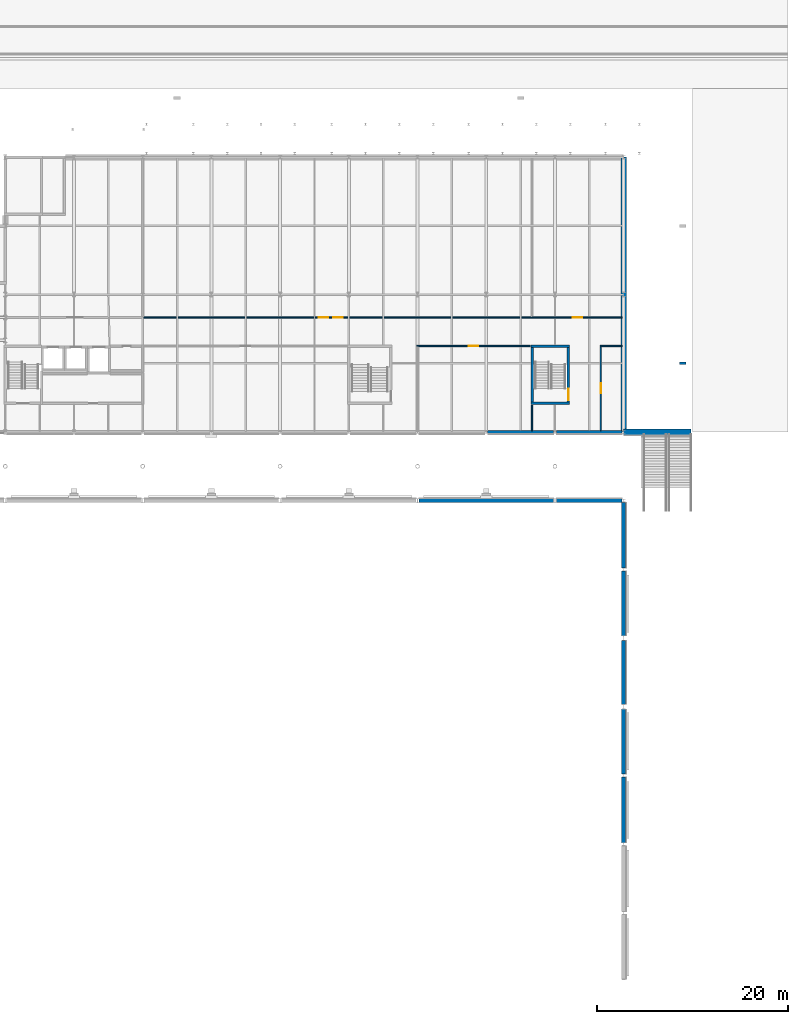
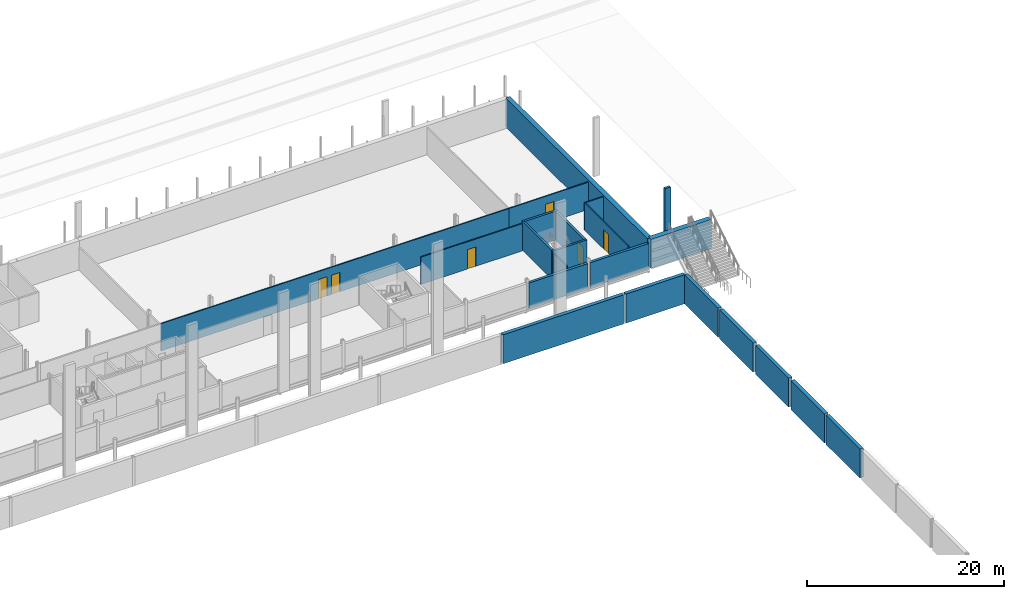
# One storey, part 58 of 90: 22 walls, 6 doors, 6 openings.
"""IFC4 building model written with IfcOpenShell, lengths in metres."""

from ifc_helpers import new_model, si_unit, direction, frame, frame_2d, origin, place, context, subcontext, project, spatial, rectangle, extrude, material, layer, layer_set, type_object, element, fill, save


model = new_model("IFC4")

# Units and contexts
model_context = context("Model", 3, precision=1e-05, world=origin(), true_north=direction((0.0, 1.0)))
body_context = subcontext(model_context, "Body", "Model", "MODEL_VIEW")
ifc_project = project(units=[si_unit("LENGTHUNIT", "METRE"), si_unit("AREAUNIT", "SQUARE_METRE"), si_unit("VOLUMEUNIT", "CUBIC_METRE"), si_unit("PLANEANGLEUNIT", "RADIAN"), si_unit("MASSUNIT", "GRAM", prefix="KILO")], contexts=[model_context])

# Site, building, storey
site_placement = place(None, origin())
site = spatial("IfcSite", under=ifc_project, at=site_placement, CompositionType="ELEMENT")
building_placement = place(site_placement, origin())
building = spatial("IfcBuilding", under=site, at=building_placement, Name="Kupolbacken Congress Centre", CompositionType="ELEMENT")
storey_placement = place(building_placement, frame((0.0, 0.0, 3.60009765625)))
storey = spatial("IfcBuildingStorey", under=building, at=storey_placement, Name="L01", CompositionType="ELEMENT", Elevation=3.60009765625)

# Walls
ifc_material_1 = material(Name="Limestone", Category="masonry")
ifc_layer_1 = layer(ifc_material_1, 0.06005859375)
ifc_material_2 = material(Name="Air cavity", Category="air")
ifc_layer_2 = layer(ifc_material_2, 0.0400390625, ventilated=True)
ifc_material_3 = material(Name="Mineral wool", Category="insulation")
ifc_layer_3 = layer(ifc_material_3, 0.14990234375)
ifc_material_4 = material(Name="Steel studs", Category="metal")
ifc_layer_4 = layer(ifc_material_4, 0.050048828125)
ifc_layer_set_1 = layer_set([ifc_layer_1, ifc_layer_2, ifc_layer_3, ifc_layer_4], Name="Limestone / Mineral wool / Steel studs")
wall_type_1 = type_object("IfcWallType", Name="EW01 external cavity wall 300", PredefinedType="SOLIDWALL", material=ifc_layer_set_1)
for number, where, z_axis, x_axis, name in (
    (1, (187.35009765625, 122.39990234375, 0.0), (0.0, 0.0, 1.0), (1.0, 0.0, 0.0), "E/B/S/L01/122"),
    (2, (194.550048828125, 122.39990234375, 0.0), (0.0, 0.0, 1.0), (1.0, 0.0, 0.0), "E/B/S/L01/123"),
):
    element("IfcWall", number, at=place(storey_placement, frame(where, z_axis=z_axis, x_axis=x_axis)), inside=storey, type_object=wall_type_1, Name=name, PredefinedType="SOLIDWALL", context=body_context, shape_type="SweptSolid", body=[
        extrude(rectangle(XDim=6.89990234375, YDim=0.300048828125, at=frame_2d((3.449951171875, 0.0))), origin(), (0.0, 0.0, 1.0), 3.079833984375),
    ])
ifc_material_5 = material(Name="Brick", Category="masonry")
ifc_layer_5 = layer(ifc_material_5, 0.10791015625)
ifc_layer_6 = layer(ifc_material_2, 0.0400390625, ventilated=True)
ifc_layer_7 = layer(ifc_material_3, 0.152099609375)
ifc_material_6 = material(Name="Concrete block", Category="masonry")
ifc_layer_8 = layer(ifc_material_6, 0.1201171875)
ifc_layer_set_2 = layer_set([ifc_layer_5, ifc_layer_6, ifc_layer_7, ifc_layer_8], Name="Brick / Mineral wool / Concrete block")
wall_type_2 = type_object("IfcWallType", Name="EW04 external cavity wall 420", PredefinedType="SOLIDWALL", material=ifc_layer_set_2)
wall_1_placement = place(storey_placement, frame((201.60009765625, 79.344970703125, 0.0), z_axis=(0.0, 0.0, 1.0), x_axis=(0.0, 1.0, 0.0)))
element("IfcWall", 3, at=wall_1_placement, inside=storey, type_object=wall_type_2, Name="E/H/E/L01/157", PredefinedType="SOLIDWALL", context=body_context, shape_type="SweptSolid", body=[
    extrude(rectangle(XDim=6.909912109375, YDim=0.419921875, at=frame_2d((3.455078125, 0.0))), origin(), (0.0, 0.0, 1.0), 3.599853515625),
])
wall_2_placement = place(storey_placement, frame((201.60009765625, 86.544921875, 0.0), z_axis=(0.0, 0.0, 1.0), x_axis=(0.0, 1.0, 0.0)))
element("IfcWall", 4, at=wall_2_placement, inside=storey, type_object=wall_type_2, Name="E/H/E/L01/158", PredefinedType="SOLIDWALL", context=body_context, shape_type="SweptSolid", body=[
    extrude(rectangle(XDim=6.81005859375, YDim=0.419921875, at=frame_2d((3.405029296875, 0.0))), origin(), (0.0, 0.0, 1.0), 3.599853515625),
])
wall_3_placement = place(storey_placement, frame((201.60009765625, 93.844970703125, 0.0), z_axis=(0.0, 0.0, 1.0), x_axis=(0.0, 1.0, 0.0)))
element("IfcWall", 5, at=wall_3_placement, inside=storey, type_object=wall_type_2, Name="E/H/E/L01/159", PredefinedType="SOLIDWALL", context=body_context, shape_type="SweptSolid", body=[
    extrude(rectangle(XDim=6.7099609375, YDim=0.419921875, at=frame_2d((3.35498046875, 0.0))), origin(), (0.0, 0.0, 1.0), 3.599853515625),
])
wall_4_placement = place(storey_placement, frame((201.60009765625, 101.044921875, 0.0), z_axis=(0.0, 0.0, 1.0), x_axis=(0.0, 1.0, 0.0)))
element("IfcWall", 6, at=wall_4_placement, inside=storey, type_object=wall_type_2, Name="E/H/E/L01/160", PredefinedType="SOLIDWALL", context=body_context, shape_type="SweptSolid", body=[
    extrude(rectangle(XDim=6.81005859375, YDim=0.419921875, at=frame_2d((3.405029296875, 0.0))), origin(), (0.0, 0.0, 1.0), 3.599853515625),
])
wall_5_placement = place(storey_placement, frame((201.60009765625, 108.14501953125, 0.0), z_axis=(0.0, 0.0, 1.0), x_axis=(0.0, 1.0, 0.0)))
element("IfcWall", 7, at=wall_5_placement, inside=storey, type_object=wall_type_2, Name="E/H/E/L01/161", PredefinedType="SOLIDWALL", context=body_context, shape_type="SweptSolid", body=[
    extrude(rectangle(XDim=6.844970703125, YDim=0.419921875, at=frame_2d((3.42236328125, 0.0))), origin(), (0.0, 0.0, 1.0), 3.599853515625),
])
wall_6_placement = place(storey_placement, frame((201.449951171875, 115.199951171875, 0.0), z_axis=(0.0, 0.0, 1.0), x_axis=(-1.0, 0.0, 0.0)))
element("IfcWall", 8, at=wall_6_placement, inside=storey, type_object=wall_type_2, Name="E/H/N/L01/162", PredefinedType="SOLIDWALL", context=body_context, shape_type="SweptSolid", body=[
    extrude(rectangle(XDim=6.89990234375, YDim=0.419921875, at=frame_2d((3.449951171875, 0.0))), origin(), (0.0, 0.0, 1.0), 3.599853515625),
])
wall_7_placement = place(storey_placement, frame((194.25, 115.199951171875, 0.0), z_axis=(0.0, 0.0, 1.0), x_axis=(-1.0, 0.0, 0.0)))
element("IfcWall", 9, at=wall_7_placement, inside=storey, type_object=wall_type_2, Name="E/H/N/L01/163", PredefinedType="SOLIDWALL", context=body_context, shape_type="SweptSolid", body=[
    extrude(rectangle(XDim=14.10009765625, YDim=0.419921875, at=frame_2d((7.050048828125, 0.0))), origin(), (0.0, 0.0, 1.0), 3.599853515625),
])
ifc_material_7 = material(Name="Gypsum board", Category="drywall")
ifc_layer_9 = layer(ifc_material_7, 0.135009765625)
ifc_layer_set_3 = layer_set([ifc_layer_9], Name="Gypsum board")
wall_type_3 = type_object("IfcWallType", Name="P06 compartment wall 135", PredefinedType="PARTITIONING", material=ifc_layer_set_3)
wall_8_placement = place(storey_placement, frame((192.0, 122.550048828125, 0.0), z_axis=(0.0, 0.0, 1.0), x_axis=(0.0, 1.0, 0.0)))
element("IfcWall", 10, at=wall_8_placement, inside=storey, type_object=wall_type_3, Name="PD/L01/W019", PredefinedType="PARTITIONING", context=body_context, shape_type="SweptSolid", body=[
    extrude(rectangle(XDim=2.6650390625, YDim=0.135009765625, at=frame_2d((1.33251953125, 0.0))), origin(), (0.0, 0.0, 1.0), 3.3798828125),
])

# Wall, opening, door
wall_9_placement = place(storey_placement, frame((199.199951171875, 131.33251953125, 0.0), z_axis=(0.0, 0.0, 1.0), x_axis=(0.0, -1.0, 0.0)))
wall_9 = element("IfcWall", 11, at=wall_9_placement, inside=storey, type_object=wall_type_3, Name="PD/L01/W020", PredefinedType="PARTITIONING", context=body_context, shape_type="SweptSolid", body=[
    extrude(rectangle(XDim=8.782470703125, YDim=0.135009765625, at=frame_2d((4.39111328125, 0.0))), origin(), (0.0, 0.0, 1.0), 3.3798828125),
])
opening_1_placement = place(wall_9_placement, frame((3.85009765625, 0.0, 0.0)))
opening_1 = element("IfcOpeningElement", 12, at=opening_1_placement, cuts=wall_9, Name="Opening 1.B08", PredefinedType="OPENING", context=body_context, shape_type="SweptSolid", body=[
    extrude(rectangle(XDim=1.0, YDim=2.39990234375, at=frame_2d((0.5, 1.199951171875))), frame((0.0, 0.077392578125, 0.0), z_axis=(0.0, -1.0, 0.0), x_axis=(1.0, 0.0, 0.0)), (0.0, 0.0, 1.0), 0.155029296875),
])
ifc_material_8 = material(Name="Steel fire door leaf", Category="steel")
door_type_1 = type_object("IfcDoorType", Name="D8 fire door 1000x2400", OperationType="SINGLE_SWING_LEFT", PredefinedType="DOOR", material=ifc_material_8)
door_1_placement = place(opening_1_placement, origin())
door_1 = element("IfcDoor", 13, at=door_1_placement, inside=storey, type_object=door_type_1, Name="PD/L01/W020/D1B08", OperationType="SINGLE_SWING_LEFT", OverallHeight=2.39990234375, OverallWidth=1.0, PredefinedType="DOOR", context=body_context, shape_type="SweptSolid", body=[
    extrude(rectangle(XDim=1.0, YDim=2.39990234375, at=frame_2d((0.5, 1.199951171875))), frame((0.0, 0.02490234375, 0.0), z_axis=(0.0, -1.0, 0.0), x_axis=(1.0, 0.0, 0.0)), (0.0, 0.0, 1.0), 0.050048828125),
])
fill(opening_1, door_1)

# Wall, openings, doors
wall_10_placement = place(storey_placement, frame((151.199951171875, 134.39990234375, 0.0), z_axis=(0.0, 0.0, 1.0), x_axis=(1.0, 0.0, 0.0)))
wall_10 = element("IfcWall", 14, at=wall_10_placement, inside=storey, type_object=wall_type_3, Name="PD/L01/W123", PredefinedType="PARTITIONING", context=body_context, shape_type="SweptSolid", body=[
    extrude(rectangle(XDim=40.800048828125, YDim=0.135009765625, at=frame_2d((20.39990234375, 0.0))), origin(), (0.0, 0.0, 1.0), 3.3798828125),
])
opening_2_placement = place(wall_10_placement, frame((19.949951171875, 0.0, 0.0)))
opening_2 = element("IfcOpeningElement", 15, at=opening_2_placement, cuts=wall_10, Name="Opening 1.B03", PredefinedType="OPENING", context=body_context, shape_type="SweptSolid", body=[
    extrude(rectangle(XDim=1.0, YDim=2.39990234375, at=frame_2d((0.5, 1.199951171875))), frame((0.0, 0.077392578125, 0.0), z_axis=(0.0, -1.0, 0.0), x_axis=(1.0, 0.0, 0.0)), (0.0, 0.0, 1.0), 0.155029296875),
])
opening_3_placement = place(wall_10_placement, frame((18.449951171875, 0.0, 0.0)))
opening_3 = element("IfcOpeningElement", 16, at=opening_3_placement, cuts=wall_10, Name="Opening 1.B04", PredefinedType="OPENING", context=body_context, shape_type="SweptSolid", body=[
    extrude(rectangle(XDim=1.0, YDim=2.39990234375, at=frame_2d((0.5, 1.199951171875))), frame((0.0, 0.077392578125, 0.0), z_axis=(0.0, -1.0, 0.0), x_axis=(1.0, 0.0, 0.0)), (0.0, 0.0, 1.0), 0.155029296875),
])
door_2_placement = place(opening_2_placement, origin())
door_2 = element("IfcDoor", 17, at=door_2_placement, inside=storey, type_object=door_type_1, Name="PD/L01/W123/D1B03", OperationType="SINGLE_SWING_RIGHT", OverallHeight=2.39990234375, OverallWidth=1.0, PredefinedType="DOOR", context=body_context, shape_type="SweptSolid", body=[
    extrude(rectangle(XDim=1.0, YDim=2.39990234375, at=frame_2d((0.5, 1.199951171875))), frame((0.0, 0.02490234375, 0.0), z_axis=(0.0, -1.0, 0.0), x_axis=(1.0, 0.0, 0.0)), (0.0, 0.0, 1.0), 0.050048828125),
])
fill(opening_2, door_2)
door_3_placement = place(opening_3_placement, origin())
door_3 = element("IfcDoor", 18, at=door_3_placement, inside=storey, type_object=door_type_1, Name="PD/L01/W123/D1B04", OperationType="SINGLE_SWING_RIGHT", OverallHeight=2.39990234375, OverallWidth=1.0, PredefinedType="DOOR", context=body_context, shape_type="SweptSolid", body=[
    extrude(rectangle(XDim=1.0, YDim=2.39990234375, at=frame_2d((0.5, 1.199951171875))), frame((0.0, 0.02490234375, 0.0), z_axis=(0.0, -1.0, 0.0), x_axis=(1.0, 0.0, 0.0)), (0.0, 0.0, 1.0), 0.050048828125),
])
fill(opening_3, door_3)

# Wall, opening, door
wall_11_placement = place(storey_placement, frame((192.0, 134.39990234375, 0.0), z_axis=(0.0, 0.0, 1.0), x_axis=(1.0, 0.0, 0.0)))
wall_11 = element("IfcWall", 19, at=wall_11_placement, inside=storey, type_object=wall_type_3, Name="PD/L01/W124", PredefinedType="PARTITIONING", context=body_context, shape_type="SweptSolid", body=[
    extrude(rectangle(XDim=9.449951171875, YDim=0.135009765625, at=frame_2d((4.72509765625, 0.0))), origin(), (0.0, 0.0, 1.0), 3.3798828125),
])
opening_4_placement = place(wall_11_placement, frame((4.25, 0.0, 0.0)))
opening_4 = element("IfcOpeningElement", 20, at=opening_4_placement, cuts=wall_11, Name="Opening 1.B05", PredefinedType="OPENING", context=body_context, shape_type="SweptSolid", body=[
    extrude(rectangle(XDim=1.0, YDim=2.39990234375, at=frame_2d((0.5, 1.199951171875))), frame((0.0, 0.077392578125, 0.0), z_axis=(0.0, -1.0, 0.0), x_axis=(1.0, 0.0, 0.0)), (0.0, 0.0, 1.0), 0.155029296875),
])
door_4_placement = place(opening_4_placement, origin())
door_4 = element("IfcDoor", 21, at=door_4_placement, inside=storey, type_object=door_type_1, Name="PD/L01/W124/D1B05", OperationType="SINGLE_SWING_LEFT", OverallHeight=2.39990234375, OverallWidth=1.0, PredefinedType="DOOR", context=body_context, shape_type="SweptSolid", body=[
    extrude(rectangle(XDim=1.0, YDim=2.39990234375, at=frame_2d((0.5, 1.199951171875))), frame((0.0, 0.02490234375, 0.0), z_axis=(0.0, -1.0, 0.0), x_axis=(1.0, 0.0, 0.0)), (0.0, 0.0, 1.0), 0.050048828125),
])
fill(opening_4, door_4)

wall_12_placement = place(storey_placement, frame((191.81494140625, 131.39990234375, 0.0), z_axis=(0.0, 0.0, 1.0), x_axis=(-1.0, 0.0, 0.0)))
wall_12 = element("IfcWall", 22, at=wall_12_placement, inside=storey, type_object=wall_type_3, Name="PD/L01/W126", PredefinedType="PARTITIONING", context=body_context, shape_type="SweptSolid", body=[
    extrude(rectangle(XDim=11.88232421875, YDim=0.135009765625, at=frame_2d((5.941162109375, 0.0))), origin(), (0.0, 0.0, 1.0), 3.3798828125),
])
opening_5_placement = place(wall_12_placement, frame((5.449951171875, 0.0, 0.0)))
opening_5 = element("IfcOpeningElement", 23, at=opening_5_placement, cuts=wall_12, Name="Opening 1.B07", PredefinedType="OPENING", context=body_context, shape_type="SweptSolid", body=[
    extrude(rectangle(XDim=1.0, YDim=2.39990234375, at=frame_2d((0.5, 1.199951171875))), frame((0.0, 0.077392578125, 0.0), z_axis=(0.0, -1.0, 0.0), x_axis=(1.0, 0.0, 0.0)), (0.0, 0.0, 1.0), 0.155029296875),
])
door_5_placement = place(opening_5_placement, origin())
door_5 = element("IfcDoor", 24, at=door_5_placement, inside=storey, type_object=door_type_1, Name="PD/L01/W126/D1B07", OperationType="SINGLE_SWING_LEFT", OverallHeight=2.39990234375, OverallWidth=1.0, PredefinedType="DOOR", context=body_context, shape_type="SweptSolid", body=[
    extrude(rectangle(XDim=1.0, YDim=2.39990234375, at=frame_2d((0.5, 1.199951171875))), frame((0.0, 0.02490234375, 0.0), z_axis=(0.0, -1.0, 0.0), x_axis=(1.0, 0.0, 0.0)), (0.0, 0.0, 1.0), 0.050048828125),
])
fill(opening_5, door_5)

# Walls
wall_13_placement = place(storey_placement, frame((201.449951171875, 131.39990234375, 0.0), z_axis=(0.0, 0.0, 1.0), x_axis=(-1.0, 0.0, 0.0)))
element("IfcWall", 25, at=wall_13_placement, inside=storey, type_object=wall_type_3, Name="PD/L01/W127", PredefinedType="PARTITIONING", context=body_context, shape_type="SweptSolid", body=[
    extrude(rectangle(XDim=2.3173828125, YDim=0.135009765625, at=frame_2d((1.15869140625, 0.0))), origin(), (0.0, 0.0, 1.0), 3.3798828125),
])
ifc_material_9 = material(Name="Concrete C30/37", Category="concrete")
ifc_layer_10 = layer(ifc_material_9, 0.550048828125)
ifc_layer_set_4 = layer_set([ifc_layer_10], Name="Concrete C30/37")
wall_type_4 = type_object("IfcWallType", Name="RW3 retaining wall 550", PredefinedType="SOLIDWALL", material=ifc_layer_set_4)
wall_14_placement = place(storey_placement, frame((201.60009765625, 122.39990234375, 0.0), z_axis=(0.0, 0.0, 1.0), x_axis=(0.0, 1.0, 0.0)))
element("IfcWall", 26, at=wall_14_placement, inside=storey, type_object=wall_type_4, Name="Retaining wall BF01 L01", PredefinedType="SOLIDWALL", context=body_context, shape_type="SweptSolid", body=[
    extrude(rectangle(XDim=28.800048828125, YDim=0.550048828125, at=frame_2d((14.39990234375, 0.0))), origin(), (0.0, 0.0, 1.0), 3.599853515625),
])
ifc_material_10 = material(Name="Concrete C30/37", Category="concrete")
ifc_layer_11 = layer(ifc_material_10, 0.60009765625)
ifc_layer_set_5 = layer_set([ifc_layer_11], Name="Concrete C30/37")
wall_type_5 = type_object("IfcWallType", Name="RW4 retaining wall 600", PredefinedType="SOLIDWALL", material=ifc_layer_set_5)
wall_15_placement = place(storey_placement, frame((201.60009765625, 122.39990234375, 0.0), z_axis=(0.0, 0.0, 1.0), x_axis=(1.0, 0.0, 0.0)))
element("IfcWall", 27, at=wall_15_placement, inside=storey, type_object=wall_type_5, Name="S/rw/RW3/W2", PredefinedType="SOLIDWALL", context=body_context, shape_type="SweptSolid", body=[
    extrude(rectangle(XDim=7.06982421875, YDim=0.60009765625, at=frame_2d((3.534912109375, 0.0))), origin(), (0.0, 0.0, 1.0), 3.599853515625),
])
ifc_material_11 = material(Name="Concrete C40/50", Category="concrete")
ifc_layer_12 = layer(ifc_material_11, 0.25)
ifc_layer_set_6 = layer_set([ifc_layer_12], Name="Concrete C40/50")
wall_type_6 = type_object("IfcWallType", Name="WC2 RC stair enclosure wall 250", PredefinedType="SHEAR", material=ifc_layer_set_6)
wall_16_placement = place(storey_placement, frame((191.875, 125.39990234375, 0.0), z_axis=(0.0, 0.0, 1.0), x_axis=(1.0, 0.0, 0.0)))
element("IfcWall", 28, at=wall_16_placement, inside=storey, type_object=wall_type_6, Name="Stair enclosure wall L01-088", PredefinedType="SHEAR", context=body_context, shape_type="SweptSolid", body=[
    extrude(rectangle(XDim=4.050048828125, YDim=0.25, at=frame_2d((2.02490234375, 0.0))), origin(), (0.0, 0.0, 1.0), 3.599853515625),
])

# Wall, opening, door
wall_17_placement = place(storey_placement, frame((195.800048828125, 125.27490234375, 0.0), z_axis=(0.0, 0.0, 1.0), x_axis=(0.0, 1.0, 0.0)))
wall_17 = element("IfcWall", 29, at=wall_17_placement, inside=storey, type_object=wall_type_6, Name="Stair enclosure wall L01-089", PredefinedType="SHEAR", context=body_context, shape_type="SweptSolid", body=[
    extrude(rectangle(XDim=6.25, YDim=0.25, at=frame_2d((3.125, 0.0))), origin(), (0.0, 0.0, 1.0), 3.599853515625),
])
opening_6_placement = place(wall_17_placement, frame((0.47509765625, 0.0, 0.0)))
opening_6 = element("IfcOpeningElement", 30, at=opening_6_placement, cuts=wall_17, Name="Opening 1.B01", PredefinedType="OPENING", context=body_context, shape_type="SweptSolid", body=[
    extrude(rectangle(XDim=1.199951171875, YDim=2.39990234375, at=frame_2d((0.60009765625, 1.199951171875))), frame((0.0, 0.135009765625, 0.0), z_axis=(0.0, -1.0, 0.0), x_axis=(1.0, 0.0, 0.0)), (0.0, 0.0, 1.0), 0.27001953125),
])
ifc_material_12 = material(Name="Steel fire door leaf", Category="steel")
door_type_2 = type_object("IfcDoorType", Name="D9 fire door 1200x2400", OperationType="SINGLE_SWING_LEFT", PredefinedType="DOOR", material=ifc_material_12)
door_6_placement = place(opening_6_placement, origin())
door_6 = element("IfcDoor", 31, at=door_6_placement, inside=storey, type_object=door_type_2, Name="S/core/L01/089/D1B01", OperationType="SINGLE_SWING_RIGHT", OverallHeight=2.39990234375, OverallWidth=1.199951171875, PredefinedType="DOOR", context=body_context, shape_type="SweptSolid", body=[
    extrude(rectangle(XDim=1.199951171875, YDim=2.39990234375, at=frame_2d((0.60009765625, 1.199951171875))), frame((0.0, 0.02490234375, 0.0), z_axis=(0.0, -1.0, 0.0), x_axis=(1.0, 0.0, 0.0)), (0.0, 0.0, 1.0), 0.050048828125),
])
fill(opening_6, door_6)

# Walls
wall_18_placement = place(storey_placement, frame((192.0, 131.52490234375, 0.0), z_axis=(0.0, 0.0, 1.0), x_axis=(0.0, -1.0, 0.0)))
element("IfcWall", 32, at=wall_18_placement, inside=storey, type_object=wall_type_6, Name="Stair enclosure wall L01-106", PredefinedType="SHEAR", context=body_context, shape_type="SweptSolid", body=[
    extrude(rectangle(XDim=6.25, YDim=0.25, at=frame_2d((3.125, 0.0))), origin(), (0.0, 0.0, 1.0), 3.599853515625),
])
wall_19_placement = place(storey_placement, frame((195.925048828125, 131.39990234375, 0.0), z_axis=(0.0, 0.0, 1.0), x_axis=(-1.0, 0.0, 0.0)))
element("IfcWall", 33, at=wall_19_placement, inside=storey, type_object=wall_type_6, Name="Stair enclosure wall L01-107", PredefinedType="SHEAR", context=body_context, shape_type="SweptSolid", body=[
    extrude(rectangle(XDim=4.050048828125, YDim=0.25, at=frame_2d((2.02490234375, 0.0))), origin(), (0.0, 0.0, 1.0), 3.599853515625),
])
ifc_material_13 = material(Name="Concrete C40/50", Category="concrete")
ifc_layer_13 = layer(ifc_material_13, 0.300048828125)
ifc_layer_set_7 = layer_set([ifc_layer_13], Name="Concrete C40/50")
wall_type_7 = type_object("IfcWallType", Name="WC3 RC core wall 300", PredefinedType="SHEAR", material=ifc_layer_set_7)
wall_20_placement = place(storey_placement, frame((207.448974609375, 129.60009765625, -3.900146484375), z_axis=(0.0, 0.0, 1.0), x_axis=(1.0, 0.0, 0.0)))
element("IfcWall", 34, at=wall_20_placement, inside=storey, type_object=wall_type_7, Name="Terrace pier BET1", PredefinedType="SHEAR", context=body_context, shape_type="SweptSolid", body=[
    extrude(rectangle(XDim=0.699951171875, YDim=0.300048828125, at=frame_2d((0.35009765625, 0.0))), origin(), (0.0, 0.0, 1.0), 7.27001953125),
])

save(model, "model.ifc")
